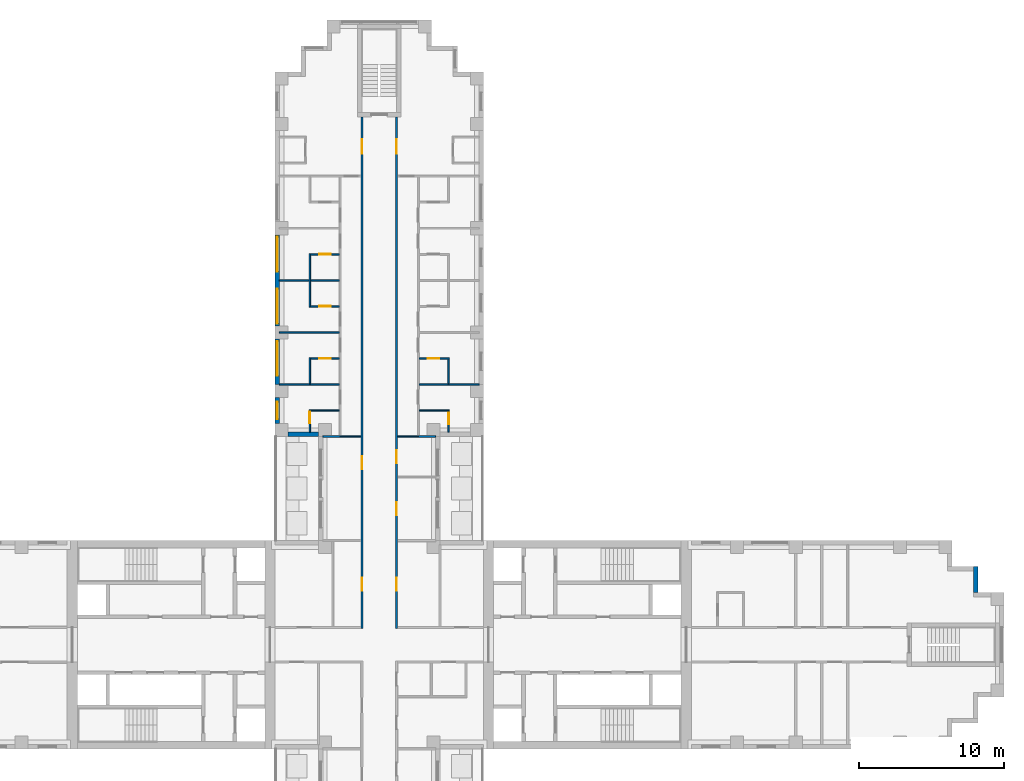
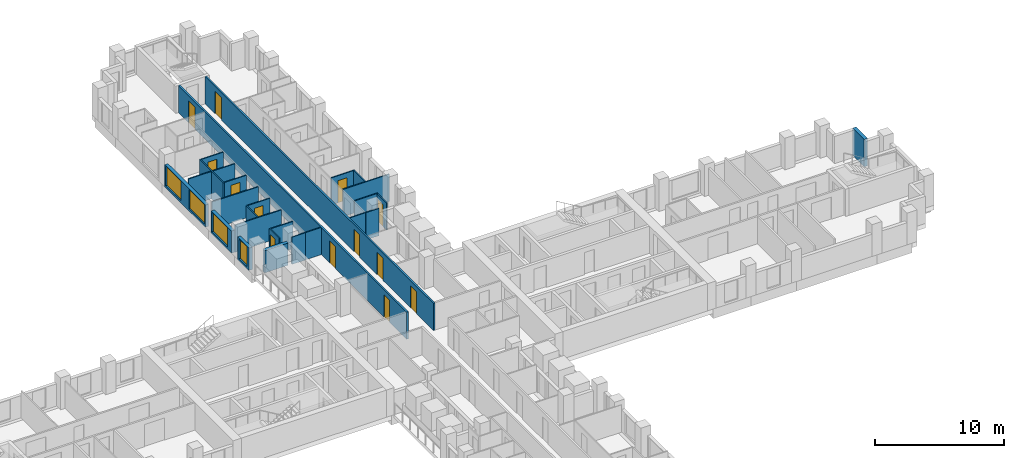
# One storey, part 10 of 15: 26 walls, 13 doors, 4 windows, 17 openings.
"""IFC4 building model written with IfcOpenShell, lengths in metres."""

from ifc_helpers import new_model, si_unit, direction, frame, frame_2d, origin, place, context, subcontext, project, spatial, rectangle, extrude, material, layer, layer_set, type_object, element, fill, save


model = new_model("IFC4")

# Units and contexts
model_context = context("Model", 3, precision=1e-05, world=origin(), true_north=direction((0.0, 1.0)))
body_context = subcontext(model_context, "Body", "Model", "MODEL_VIEW")
ifc_project = project(units=[si_unit("LENGTHUNIT", "METRE"), si_unit("AREAUNIT", "SQUARE_METRE"), si_unit("VOLUMEUNIT", "CUBIC_METRE"), si_unit("PLANEANGLEUNIT", "RADIAN"), si_unit("MASSUNIT", "GRAM", prefix="KILO")], contexts=[model_context])

# Site, building, storey
site_placement = place(None, origin())
site = spatial("IfcSite", under=ifc_project, at=site_placement, CompositionType="ELEMENT")
building_placement = place(site_placement, origin())
building = spatial("IfcBuilding", under=site, at=building_placement, Name="Fustian Cross Tower", CompositionType="ELEMENT")
storey_placement = place(building_placement, frame((0.0, 0.0, 11.699951171875)))
storey = spatial("IfcBuildingStorey", under=building, at=storey_placement, Name="L02", CompositionType="ELEMENT", Elevation=11.699951171875)

# Wall, openings, doors
ifc_material_1 = material(Name="Plasterboard on steel stud", Category="steel")
ifc_layer_1 = layer(ifc_material_1, 0.14990234375)
ifc_layer_set_1 = layer_set([ifc_layer_1], Name="Plasterboard on steel stud")
wall_type_1 = type_object("IfcWallType", Name="COMPARTMENT WALL 150 EI 60", PredefinedType="PARTITIONING", material=ifc_layer_set_1)
wall_1_placement = place(storey_placement, frame((-1.199951171875, 1.125, 0.0), z_axis=(0.0, 0.0, 1.0), x_axis=(0.0, 1.0, 0.0)))
wall_1 = element("IfcWall", 1, at=wall_1_placement, inside=storey, type_object=wall_type_1, Name="Partition 55", PredefinedType="PARTITIONING", context=body_context, shape_type="SweptSolid", body=[
    extrude(rectangle(XDim=35.375, YDim=0.14990234375, at=frame_2d((17.6875, 0.0))), origin(), (0.0, 0.0, 1.0), 2.574951171875),
])
opening_1_placement = place(wall_1_placement, frame((2.625, 0.0, 0.0)))
opening_1 = element("IfcOpeningElement", 2, at=opening_1_placement, cuts=wall_1, Name="Opening D04003", PredefinedType="OPENING", context=body_context, shape_type="SweptSolid", body=[
    extrude(rectangle(XDim=0.89990234375, YDim=2.10009765625, at=frame_2d((0.449951171875, 1.050048828125))), frame((0.0, 0.0849609375, 0.0), z_axis=(0.0, -1.0, 0.0), x_axis=(1.0, 0.0, 0.0)), (0.0, 0.0, 1.0), 0.169921875),
])
opening_2_placement = place(wall_1_placement, frame((11.02490234375, 0.0, 0.0)))
opening_2 = element("IfcOpeningElement", 3, at=opening_2_placement, cuts=wall_1, Name="Opening D04019", PredefinedType="OPENING", context=body_context, shape_type="SweptSolid", body=[
    extrude(rectangle(XDim=0.89990234375, YDim=2.10009765625, at=frame_2d((0.449951171875, 1.050048828125))), frame((0.0, 0.0849609375, 0.0), z_axis=(0.0, -1.0, 0.0), x_axis=(1.0, 0.0, 0.0)), (0.0, 0.0, 1.0), 0.169921875),
])
opening_3_placement = place(wall_1_placement, frame((32.824951171875, 0.0, 0.0)))
opening_3 = element("IfcOpeningElement", 4, at=opening_3_placement, cuts=wall_1, Name="Opening D04021", PredefinedType="OPENING", context=body_context, shape_type="SweptSolid", body=[
    extrude(rectangle(XDim=1.0, YDim=2.10009765625, at=frame_2d((0.5, 1.050048828125))), frame((0.0, 0.0849609375, 0.0), z_axis=(0.0, -1.0, 0.0), x_axis=(1.0, 0.0, 0.0)), (0.0, 0.0, 1.0), 0.169921875),
])
ifc_material_2 = material(Name="Timber fire door set", Category="wood")
door_type_1 = type_object("IfcDoorType", Name="FIRE SWING DOOR 1000 FD30S", OperationType="SINGLE_SWING_LEFT", PredefinedType="DOOR", material=ifc_material_2)
door_1_placement = place(opening_3_placement, origin())
door_1 = element("IfcDoor", 5, at=door_1_placement, inside=storey, type_object=door_type_1, Name="Door D04021", OperationType="SINGLE_SWING_LEFT", OverallHeight=2.10009765625, OverallWidth=1.0, PredefinedType="DOOR", context=body_context, shape_type="SweptSolid", body=[
    extrude(rectangle(XDim=1.0, YDim=2.10009765625, at=frame_2d((0.5, 1.050048828125))), frame((0.0, 0.02490234375, 0.0), z_axis=(0.0, -1.0, 0.0), x_axis=(1.0, 0.0, 0.0)), (0.0, 0.0, 1.0), 0.050048828125),
])
fill(opening_3, door_1)
ifc_material_3 = material(Name="Timber fire door set", Category="wood")
door_type_2 = type_object("IfcDoorType", Name="FIRE SWING DOOR 900 FD30S", OperationType="SINGLE_SWING_LEFT", PredefinedType="DOOR", material=ifc_material_3)
door_2_placement = place(opening_1_placement, origin())
door_2 = element("IfcDoor", 6, at=door_2_placement, inside=storey, type_object=door_type_2, Name="Door D04003", OperationType="SINGLE_SWING_LEFT", OverallHeight=2.10009765625, OverallWidth=0.89990234375, PredefinedType="DOOR", context=body_context, shape_type="SweptSolid", body=[
    extrude(rectangle(XDim=0.89990234375, YDim=2.10009765625, at=frame_2d((0.449951171875, 1.050048828125))), frame((0.0, 0.02490234375, 0.0), z_axis=(0.0, -1.0, 0.0), x_axis=(1.0, 0.0, 0.0)), (0.0, 0.0, 1.0), 0.050048828125),
])
fill(opening_1, door_2)
door_3_placement = place(opening_2_placement, origin())
door_3 = element("IfcDoor", 7, at=door_3_placement, inside=storey, type_object=door_type_2, Name="Door D04019", OperationType="SINGLE_SWING_RIGHT", OverallHeight=2.10009765625, OverallWidth=0.89990234375, PredefinedType="DOOR", context=body_context, shape_type="SweptSolid", body=[
    extrude(rectangle(XDim=0.89990234375, YDim=2.10009765625, at=frame_2d((0.449951171875, 1.050048828125))), frame((0.0, 0.02490234375, 0.0), z_axis=(0.0, -1.0, 0.0), x_axis=(1.0, 0.0, 0.0)), (0.0, 0.0, 1.0), 0.050048828125),
])
fill(opening_2, door_3)

wall_2_placement = place(storey_placement, frame((1.199951171875, 1.125, 0.0), z_axis=(0.0, 0.0, 1.0), x_axis=(0.0, 1.0, 0.0)))
wall_2 = element("IfcWall", 8, at=wall_2_placement, inside=storey, type_object=wall_type_1, Name="Partition 64", PredefinedType="PARTITIONING", context=body_context, shape_type="SweptSolid", body=[
    extrude(rectangle(XDim=35.375, YDim=0.14990234375, at=frame_2d((17.6875, 0.0))), origin(), (0.0, 0.0, 1.0), 2.574951171875),
])
opening_4_placement = place(wall_2_placement, frame((2.625, 0.0, 0.0)))
opening_4 = element("IfcOpeningElement", 9, at=opening_4_placement, cuts=wall_2, Name="Opening D04001", PredefinedType="OPENING", context=body_context, shape_type="SweptSolid", body=[
    extrude(rectangle(XDim=0.89990234375, YDim=2.10009765625, at=frame_2d((0.449951171875, 1.050048828125))), frame((0.0, 0.0849609375, 0.0), z_axis=(0.0, -1.0, 0.0), x_axis=(1.0, 0.0, 0.0)), (0.0, 0.0, 1.0), 0.169921875),
])
opening_5_placement = place(wall_2_placement, frame((11.425048828125, 0.0, 0.0)))
opening_5 = element("IfcOpeningElement", 10, at=opening_5_placement, cuts=wall_2, Name="Opening D04033", PredefinedType="OPENING", context=body_context, shape_type="SweptSolid", body=[
    extrude(rectangle(XDim=0.89990234375, YDim=2.10009765625, at=frame_2d((0.449951171875, 1.050048828125))), frame((0.0, 0.0849609375, 0.0), z_axis=(0.0, -1.0, 0.0), x_axis=(1.0, 0.0, 0.0)), (0.0, 0.0, 1.0), 0.169921875),
])
opening_6_placement = place(wall_2_placement, frame((7.824951171875, 0.0, 0.0)))
opening_6 = element("IfcOpeningElement", 11, at=opening_6_placement, cuts=wall_2, Name="Opening D04034", PredefinedType="OPENING", context=body_context, shape_type="SweptSolid", body=[
    extrude(rectangle(XDim=0.89990234375, YDim=2.10009765625, at=frame_2d((0.449951171875, 1.050048828125))), frame((0.0, 0.0849609375, 0.0), z_axis=(0.0, -1.0, 0.0), x_axis=(1.0, 0.0, 0.0)), (0.0, 0.0, 1.0), 0.169921875),
])
opening_7_placement = place(wall_2_placement, frame((32.824951171875, 0.0, 0.0)))
opening_7 = element("IfcOpeningElement", 12, at=opening_7_placement, cuts=wall_2, Name="Opening D04036", PredefinedType="OPENING", context=body_context, shape_type="SweptSolid", body=[
    extrude(rectangle(XDim=1.0, YDim=2.10009765625, at=frame_2d((0.5, 1.050048828125))), frame((0.0, 0.0849609375, 0.0), z_axis=(0.0, -1.0, 0.0), x_axis=(1.0, 0.0, 0.0)), (0.0, 0.0, 1.0), 0.169921875),
])
door_4_placement = place(opening_7_placement, frame((1.0, 0.0, 0.0), z_axis=(0.0, 0.0, 1.0), x_axis=(-1.0, 0.0, 0.0)))
door_4 = element("IfcDoor", 13, at=door_4_placement, inside=storey, type_object=door_type_1, Name="Door D04036", OperationType="SINGLE_SWING_RIGHT", OverallHeight=2.10009765625, OverallWidth=1.0, PredefinedType="DOOR", context=body_context, shape_type="SweptSolid", body=[
    extrude(rectangle(XDim=1.0, YDim=2.10009765625, at=frame_2d((0.5, 1.050048828125))), frame((0.0, 0.02490234375, 0.0), z_axis=(0.0, -1.0, 0.0), x_axis=(1.0, 0.0, 0.0)), (0.0, 0.0, 1.0), 0.050048828125),
])
fill(opening_7, door_4)
door_5_placement = place(opening_4_placement, frame((0.89990234375, 0.0, 0.0), z_axis=(0.0, 0.0, 1.0), x_axis=(-1.0, 0.0, 0.0)))
door_5 = element("IfcDoor", 14, at=door_5_placement, inside=storey, type_object=door_type_2, Name="Door D04001", OperationType="SINGLE_SWING_RIGHT", OverallHeight=2.10009765625, OverallWidth=0.89990234375, PredefinedType="DOOR", context=body_context, shape_type="SweptSolid", body=[
    extrude(rectangle(XDim=0.89990234375, YDim=2.10009765625, at=frame_2d((0.449951171875, 1.050048828125))), frame((0.0, 0.02490234375, 0.0), z_axis=(0.0, -1.0, 0.0), x_axis=(1.0, 0.0, 0.0)), (0.0, 0.0, 1.0), 0.050048828125),
])
fill(opening_4, door_5)
door_6_placement = place(opening_5_placement, frame((0.89990234375, 0.0, 0.0), z_axis=(0.0, 0.0, 1.0), x_axis=(-1.0, 0.0, 0.0)))
door_6 = element("IfcDoor", 15, at=door_6_placement, inside=storey, type_object=door_type_2, Name="Door D04033", OperationType="SINGLE_SWING_RIGHT", OverallHeight=2.10009765625, OverallWidth=0.89990234375, PredefinedType="DOOR", context=body_context, shape_type="SweptSolid", body=[
    extrude(rectangle(XDim=0.89990234375, YDim=2.10009765625, at=frame_2d((0.449951171875, 1.050048828125))), frame((0.0, 0.02490234375, 0.0), z_axis=(0.0, -1.0, 0.0), x_axis=(1.0, 0.0, 0.0)), (0.0, 0.0, 1.0), 0.050048828125),
])
fill(opening_5, door_6)
door_7_placement = place(opening_6_placement, frame((0.89990234375, 0.0, 0.0), z_axis=(0.0, 0.0, 1.0), x_axis=(-1.0, 0.0, 0.0)))
door_7 = element("IfcDoor", 16, at=door_7_placement, inside=storey, type_object=door_type_2, Name="Door D04034", OperationType="SINGLE_SWING_RIGHT", OverallHeight=2.10009765625, OverallWidth=0.89990234375, PredefinedType="DOOR", context=body_context, shape_type="SweptSolid", body=[
    extrude(rectangle(XDim=0.89990234375, YDim=2.10009765625, at=frame_2d((0.449951171875, 1.050048828125))), frame((0.0, 0.02490234375, 0.0), z_axis=(0.0, -1.0, 0.0), x_axis=(1.0, 0.0, 0.0)), (0.0, 0.0, 1.0), 0.050048828125),
])
fill(opening_6, door_7)

# Walls
ifc_material_4 = material(Name="Plasterboard on steel stud", Category="steel")
ifc_layer_2 = layer(ifc_material_4, 0.10009765625)
ifc_layer_set_2 = layer_set([ifc_layer_2], Name="Plasterboard on steel stud")
wall_type_2 = type_object("IfcWallType", Name="PARTITION 100 STUD", PredefinedType="PARTITIONING", material=ifc_layer_set_2)
for number, where, z_axis, x_axis, name in (
    (17, (-6.89990234375, 18.0, 0.0), (0.0, 0.0, 1.0), (1.0, 0.0, 0.0), "Partition 17"),
    (18, (-6.89990234375, 21.60009765625, 0.0), (0.0, 0.0, 1.0), (1.0, 0.0, 0.0), "Partition 18"),
    (19, (-6.89990234375, 25.199951171875, 0.0), (0.0, 0.0, 1.0), (1.0, 0.0, 0.0), "Partition 19"),
):
    element("IfcWall", number, at=place(storey_placement, frame(where, z_axis=z_axis, x_axis=x_axis)), inside=storey, type_object=wall_type_2, Name=name, PredefinedType="PARTITIONING", context=body_context, shape_type="SweptSolid", body=[
        extrude(rectangle(XDim=4.14990234375, YDim=0.10009765625, at=frame_2d((2.074951171875, 0.0))), origin(), (0.0, 0.0, 1.0), 2.574951171875),
    ])

# Wall, opening, door
wall_3_placement = place(storey_placement, frame((-4.800048828125, 14.699951171875, 0.0), z_axis=(0.0, 0.0, 1.0), x_axis=(0.0, 1.0, 0.0)))
wall_3 = element("IfcWall", 20, at=wall_3_placement, inside=storey, type_object=wall_type_2, Name="Partition 35", PredefinedType="PARTITIONING", context=body_context, shape_type="SweptSolid", body=[
    extrude(rectangle(XDim=1.550048828125, YDim=0.10009765625, at=frame_2d((0.77490234375, 0.0))), origin(), (0.0, 0.0, 1.0), 2.574951171875),
])
opening_8_placement = place(wall_3_placement, frame((0.60009765625, 0.0, 0.0)))
opening_8 = element("IfcOpeningElement", 21, at=opening_8_placement, cuts=wall_3, Name="Opening D04028", PredefinedType="OPENING", context=body_context, shape_type="SweptSolid", body=[
    extrude(rectangle(XDim=0.800048828125, YDim=2.10009765625, at=frame_2d((0.39990234375, 1.050048828125))), frame((0.0, 0.06005859375, 0.0), z_axis=(0.0, -1.0, 0.0), x_axis=(1.0, 0.0, 0.0)), (0.0, 0.0, 1.0), 0.1201171875),
])
ifc_material_5 = material(Name="Painted timber", Category="wood")
door_type_3 = type_object("IfcDoorType", Name="SWING DOOR 800", OperationType="SINGLE_SWING_LEFT", PredefinedType="DOOR", material=ifc_material_5)
door_8_placement = place(opening_8_placement, frame((0.800048828125, 0.0, 0.0), z_axis=(0.0, 0.0, 1.0), x_axis=(-1.0, 0.0, 0.0)))
door_8 = element("IfcDoor", 22, at=door_8_placement, inside=storey, type_object=door_type_3, Name="Door D04028", OperationType="SINGLE_SWING_LEFT", OverallHeight=2.10009765625, OverallWidth=0.800048828125, PredefinedType="DOOR", context=body_context, shape_type="SweptSolid", body=[
    extrude(rectangle(XDim=0.800048828125, YDim=2.10009765625, at=frame_2d((0.39990234375, 1.050048828125))), frame((0.0, 0.02490234375, 0.0), z_axis=(0.0, -1.0, 0.0), x_axis=(1.0, 0.0, 0.0)), (0.0, 0.0, 1.0), 0.050048828125),
])
fill(opening_8, door_8)

# Walls
wall_4_placement = place(storey_placement, frame((-4.75, 16.199951171875, 0.0), z_axis=(0.0, 0.0, 1.0), x_axis=(1.0, 0.0, 0.0)))
element("IfcWall", 23, at=wall_4_placement, inside=storey, type_object=wall_type_2, Name="Partition 36", PredefinedType="PARTITIONING", context=body_context, shape_type="SweptSolid", body=[
    extrude(rectangle(XDim=2.0, YDim=0.10009765625, at=frame_2d((1.0, 0.0))), origin(), (0.0, 0.0, 1.0), 2.574951171875),
])
wall_5_placement = place(storey_placement, frame((-4.800048828125, 18.050048828125, 0.0), z_axis=(0.0, 0.0, 1.0), x_axis=(0.0, 1.0, 0.0)))
element("IfcWall", 24, at=wall_5_placement, inside=storey, type_object=wall_type_2, Name="Partition 37", PredefinedType="PARTITIONING", context=body_context, shape_type="SweptSolid", body=[
    extrude(rectangle(XDim=1.800048828125, YDim=0.10009765625, at=frame_2d((0.89990234375, 0.0))), origin(), (0.0, 0.0, 1.0), 2.574951171875),
])

# Wall, opening, door
wall_6_placement = place(storey_placement, frame((-4.75, 19.800048828125, 0.0), z_axis=(0.0, 0.0, 1.0), x_axis=(1.0, 0.0, 0.0)))
wall_6 = element("IfcWall", 25, at=wall_6_placement, inside=storey, type_object=wall_type_2, Name="Partition 38", PredefinedType="PARTITIONING", context=body_context, shape_type="SweptSolid", body=[
    extrude(rectangle(XDim=2.0, YDim=0.10009765625, at=frame_2d((1.0, 0.0))), origin(), (0.0, 0.0, 1.0), 2.574951171875),
])
opening_9_placement = place(wall_6_placement, frame((0.60009765625, 0.0, 0.0)))
opening_9 = element("IfcOpeningElement", 26, at=opening_9_placement, cuts=wall_6, Name="Opening D04029", PredefinedType="OPENING", context=body_context, shape_type="SweptSolid", body=[
    extrude(rectangle(XDim=0.800048828125, YDim=2.10009765625, at=frame_2d((0.39990234375, 1.050048828125))), frame((0.0, 0.06005859375, 0.0), z_axis=(0.0, -1.0, 0.0), x_axis=(1.0, 0.0, 0.0)), (0.0, 0.0, 1.0), 0.1201171875),
])
door_9_placement = place(opening_9_placement, frame((0.800048828125, 0.0, 0.0), z_axis=(0.0, 0.0, 1.0), x_axis=(-1.0, 0.0, 0.0)))
door_9 = element("IfcDoor", 27, at=door_9_placement, inside=storey, type_object=door_type_3, Name="Door D04029", OperationType="SINGLE_SWING_RIGHT", OverallHeight=2.10009765625, OverallWidth=0.800048828125, PredefinedType="DOOR", context=body_context, shape_type="SweptSolid", body=[
    extrude(rectangle(XDim=0.800048828125, YDim=2.10009765625, at=frame_2d((0.39990234375, 1.050048828125))), frame((0.0, 0.02490234375, 0.0), z_axis=(0.0, -1.0, 0.0), x_axis=(1.0, 0.0, 0.0)), (0.0, 0.0, 1.0), 0.050048828125),
])
fill(opening_9, door_9)

# Wall
wall_7_placement = place(storey_placement, frame((-4.800048828125, 23.35009765625, 0.0), z_axis=(0.0, 0.0, 1.0), x_axis=(0.0, 1.0, 0.0)))
element("IfcWall", 28, at=wall_7_placement, inside=storey, type_object=wall_type_2, Name="Partition 39", PredefinedType="PARTITIONING", context=body_context, shape_type="SweptSolid", body=[
    extrude(rectangle(XDim=3.699951171875, YDim=0.10009765625, at=frame_2d((1.85009765625, 0.0))), origin(), (0.0, 0.0, 1.0), 2.574951171875),
])

# Wall, opening, door
wall_8_placement = place(storey_placement, frame((-4.75, 23.39990234375, 0.0), z_axis=(0.0, 0.0, 1.0), x_axis=(1.0, 0.0, 0.0)))
wall_8 = element("IfcWall", 29, at=wall_8_placement, inside=storey, type_object=wall_type_2, Name="Partition 40", PredefinedType="PARTITIONING", context=body_context, shape_type="SweptSolid", body=[
    extrude(rectangle(XDim=2.0, YDim=0.10009765625, at=frame_2d((1.0, 0.0))), origin(), (0.0, 0.0, 1.0), 2.574951171875),
])
opening_10_placement = place(wall_8_placement, frame((0.60009765625, 0.0, 0.0)))
opening_10 = element("IfcOpeningElement", 30, at=opening_10_placement, cuts=wall_8, Name="Opening D04030", PredefinedType="OPENING", context=body_context, shape_type="SweptSolid", body=[
    extrude(rectangle(XDim=0.800048828125, YDim=2.10009765625, at=frame_2d((0.39990234375, 1.050048828125))), frame((0.0, 0.06005859375, 0.0), z_axis=(0.0, -1.0, 0.0), x_axis=(1.0, 0.0, 0.0)), (0.0, 0.0, 1.0), 0.1201171875),
])
door_10_placement = place(opening_10_placement, origin())
door_10 = element("IfcDoor", 31, at=door_10_placement, inside=storey, type_object=door_type_3, Name="Door D04030", OperationType="SINGLE_SWING_LEFT", OverallHeight=2.10009765625, OverallWidth=0.800048828125, PredefinedType="DOOR", context=body_context, shape_type="SweptSolid", body=[
    extrude(rectangle(XDim=0.800048828125, YDim=2.10009765625, at=frame_2d((0.39990234375, 1.050048828125))), frame((0.0, 0.02490234375, 0.0), z_axis=(0.0, -1.0, 0.0), x_axis=(1.0, 0.0, 0.0)), (0.0, 0.0, 1.0), 0.050048828125),
])
fill(opening_10, door_10)

wall_9_placement = place(storey_placement, frame((-4.75, 27.0, 0.0), z_axis=(0.0, 0.0, 1.0), x_axis=(1.0, 0.0, 0.0)))
wall_9 = element("IfcWall", 32, at=wall_9_placement, inside=storey, type_object=wall_type_2, Name="Partition 41", PredefinedType="PARTITIONING", context=body_context, shape_type="SweptSolid", body=[
    extrude(rectangle(XDim=2.0, YDim=0.10009765625, at=frame_2d((1.0, 0.0))), origin(), (0.0, 0.0, 1.0), 2.574951171875),
])
opening_11_placement = place(wall_9_placement, frame((0.60009765625, 0.0, 0.0)))
opening_11 = element("IfcOpeningElement", 33, at=opening_11_placement, cuts=wall_9, Name="Opening D04031", PredefinedType="OPENING", context=body_context, shape_type="SweptSolid", body=[
    extrude(rectangle(XDim=0.800048828125, YDim=2.10009765625, at=frame_2d((0.39990234375, 1.050048828125))), frame((0.0, 0.06005859375, 0.0), z_axis=(0.0, -1.0, 0.0), x_axis=(1.0, 0.0, 0.0)), (0.0, 0.0, 1.0), 0.1201171875),
])
door_11_placement = place(opening_11_placement, frame((0.800048828125, 0.0, 0.0), z_axis=(0.0, 0.0, 1.0), x_axis=(-1.0, 0.0, 0.0)))
door_11 = element("IfcDoor", 34, at=door_11_placement, inside=storey, type_object=door_type_3, Name="Door D04031", OperationType="SINGLE_SWING_RIGHT", OverallHeight=2.10009765625, OverallWidth=0.800048828125, PredefinedType="DOOR", context=body_context, shape_type="SweptSolid", body=[
    extrude(rectangle(XDim=0.800048828125, YDim=2.10009765625, at=frame_2d((0.39990234375, 1.050048828125))), frame((0.0, 0.02490234375, 0.0), z_axis=(0.0, -1.0, 0.0), x_axis=(1.0, 0.0, 0.0)), (0.0, 0.0, 1.0), 0.050048828125),
])
fill(opening_11, door_11)

# Walls
for number, where, z_axis, x_axis, name in (
    (35, (-2.699951171875, 14.39990234375, 0.0), (0.0, 0.0, 1.0), (1.0, 0.0, 0.0), "Partition 53"),
    (36, (1.27490234375, 14.39990234375, 0.0), (0.0, 0.0, 1.0), (1.0, 0.0, 0.0), "Partition 68"),
):
    element("IfcWall", number, at=place(storey_placement, frame(where, z_axis=z_axis, x_axis=x_axis)), inside=storey, type_object=wall_type_2, Name=name, PredefinedType="PARTITIONING", context=body_context, shape_type="SweptSolid", body=[
        extrude(rectangle(XDim=1.425048828125, YDim=0.10009765625, at=frame_2d((0.71240234375, 0.0))), origin(), (0.0, 0.0, 1.0), 2.574951171875),
    ])
wall_10_placement = place(storey_placement, frame((2.75, 16.199951171875, 0.0), z_axis=(0.0, 0.0, 1.0), x_axis=(1.0, 0.0, 0.0)))
element("IfcWall", 37, at=wall_10_placement, inside=storey, type_object=wall_type_2, Name="Partition 76", PredefinedType="PARTITIONING", context=body_context, shape_type="SweptSolid", body=[
    extrude(rectangle(XDim=2.10009765625, YDim=0.10009765625, at=frame_2d((1.050048828125, 0.0))), origin(), (0.0, 0.0, 1.0), 2.574951171875),
])
wall_11_placement = place(storey_placement, frame((2.75, 18.0, 0.0), z_axis=(0.0, 0.0, 1.0), x_axis=(1.0, 0.0, 0.0)))
element("IfcWall", 38, at=wall_11_placement, inside=storey, type_object=wall_type_2, Name="Partition 77", PredefinedType="PARTITIONING", context=body_context, shape_type="SweptSolid", body=[
    extrude(rectangle(XDim=4.14990234375, YDim=0.10009765625, at=frame_2d((2.074951171875, 0.0))), origin(), (0.0, 0.0, 1.0), 2.574951171875),
])

# Wall, opening, door
wall_12_placement = place(storey_placement, frame((2.75, 19.800048828125, 0.0), z_axis=(0.0, 0.0, 1.0), x_axis=(1.0, 0.0, 0.0)))
wall_12 = element("IfcWall", 39, at=wall_12_placement, inside=storey, type_object=wall_type_2, Name="Partition 78", PredefinedType="PARTITIONING", context=body_context, shape_type="SweptSolid", body=[
    extrude(rectangle(XDim=2.10009765625, YDim=0.10009765625, at=frame_2d((1.050048828125, 0.0))), origin(), (0.0, 0.0, 1.0), 2.574951171875),
])
opening_12_placement = place(wall_12_placement, frame((0.60009765625, 0.0, 0.0)))
opening_12 = element("IfcOpeningElement", 40, at=opening_12_placement, cuts=wall_12, Name="Opening D04044", PredefinedType="OPENING", context=body_context, shape_type="SweptSolid", body=[
    extrude(rectangle(XDim=0.800048828125, YDim=2.10009765625, at=frame_2d((0.39990234375, 1.050048828125))), frame((0.0, 0.06005859375, 0.0), z_axis=(0.0, -1.0, 0.0), x_axis=(1.0, 0.0, 0.0)), (0.0, 0.0, 1.0), 0.1201171875),
])
door_12_placement = place(opening_12_placement, frame((0.800048828125, 0.0, 0.0), z_axis=(0.0, 0.0, 1.0), x_axis=(-1.0, 0.0, 0.0)))
door_12 = element("IfcDoor", 41, at=door_12_placement, inside=storey, type_object=door_type_3, Name="Door D04044", OperationType="SINGLE_SWING_RIGHT", OverallHeight=2.10009765625, OverallWidth=0.800048828125, PredefinedType="DOOR", context=body_context, shape_type="SweptSolid", body=[
    extrude(rectangle(XDim=0.800048828125, YDim=2.10009765625, at=frame_2d((0.39990234375, 1.050048828125))), frame((0.0, 0.02490234375, 0.0), z_axis=(0.0, -1.0, 0.0), x_axis=(1.0, 0.0, 0.0)), (0.0, 0.0, 1.0), 0.050048828125),
])
fill(opening_12, door_12)

wall_13_placement = place(storey_placement, frame((4.800048828125, 14.699951171875, 0.0), z_axis=(0.0, 0.0, 1.0), x_axis=(0.0, 1.0, 0.0)))
wall_13 = element("IfcWall", 42, at=wall_13_placement, inside=storey, type_object=wall_type_2, Name="Partition 88", PredefinedType="PARTITIONING", context=body_context, shape_type="SweptSolid", body=[
    extrude(rectangle(XDim=1.449951171875, YDim=0.10009765625, at=frame_2d((0.72509765625, 0.0))), origin(), (0.0, 0.0, 1.0), 2.574951171875),
])
opening_13_placement = place(wall_13_placement, frame((0.550048828125, 0.0, 0.0)))
opening_13 = element("IfcOpeningElement", 43, at=opening_13_placement, cuts=wall_13, Name="Opening D04043", PredefinedType="OPENING", context=body_context, shape_type="SweptSolid", body=[
    extrude(rectangle(XDim=0.800048828125, YDim=2.10009765625, at=frame_2d((0.39990234375, 1.050048828125))), frame((0.0, 0.06005859375, 0.0), z_axis=(0.0, -1.0, 0.0), x_axis=(1.0, 0.0, 0.0)), (0.0, 0.0, 1.0), 0.1201171875),
])
door_13_placement = place(opening_13_placement, frame((0.800048828125, 0.0, 0.0), z_axis=(0.0, 0.0, 1.0), x_axis=(-1.0, 0.0, 0.0)))
door_13 = element("IfcDoor", 44, at=door_13_placement, inside=storey, type_object=door_type_3, Name="Door D04043", OperationType="SINGLE_SWING_RIGHT", OverallHeight=2.10009765625, OverallWidth=0.800048828125, PredefinedType="DOOR", context=body_context, shape_type="SweptSolid", body=[
    extrude(rectangle(XDim=0.800048828125, YDim=2.10009765625, at=frame_2d((0.39990234375, 1.050048828125))), frame((0.0, 0.02490234375, 0.0), z_axis=(0.0, -1.0, 0.0), x_axis=(1.0, 0.0, 0.0)), (0.0, 0.0, 1.0), 0.050048828125),
])
fill(opening_13, door_13)

# Walls
wall_14_placement = place(storey_placement, frame((4.800048828125, 18.050048828125, 0.0), z_axis=(0.0, 0.0, 1.0), x_axis=(0.0, 1.0, 0.0)))
element("IfcWall", 45, at=wall_14_placement, inside=storey, type_object=wall_type_2, Name="Partition 89", PredefinedType="PARTITIONING", context=body_context, shape_type="SweptSolid", body=[
    extrude(rectangle(XDim=1.699951171875, YDim=0.10009765625, at=frame_2d((0.85009765625, 0.0))), origin(), (0.0, 0.0, 1.0), 2.574951171875),
])
ifc_material_6 = material(Name="Plasterboard on steel stud", Category="steel")
ifc_layer_3 = layer(ifc_material_6, 0.125)
ifc_layer_set_3 = layer_set([ifc_layer_3], Name="Plasterboard on steel stud")
wall_type_3 = type_object("IfcWallType", Name="WET WALL 125 STUD", PredefinedType="PARTITIONING", material=ifc_layer_set_3)
for number, where, z_axis, x_axis, name in (
    (46, (-3.89990234375, 14.39990234375, 0.0), (0.0, 0.0, 1.0), (1.0, 0.0, 0.0), "Partition 48"),
    (47, (2.699951171875, 14.39990234375, 0.0), (0.0, 0.0, 1.0), (1.0, 0.0, 0.0), "Partition 75"),
):
    element("IfcWall", number, at=place(storey_placement, frame(where, z_axis=z_axis, x_axis=x_axis)), inside=storey, type_object=wall_type_3, Name=name, PredefinedType="PARTITIONING", context=body_context, shape_type="SweptSolid", body=[
        extrude(rectangle(XDim=1.199951171875, YDim=0.125, at=frame_2d((0.60009765625, 0.0))), origin(), (0.0, 0.0, 1.0), 2.574951171875),
    ])
ifc_material_7 = material(Name="Dark aluminium cladding on insulated backing wall", Category="aluminium")
ifc_layer_4 = layer(ifc_material_7, 0.300048828125)
ifc_layer_set_4 = layer_set([ifc_layer_4], Name="Dark aluminium cladding on insulated backing wall")
wall_type_4 = type_object("IfcWallType", Name="XW1 EXTERNAL WALL 300", PredefinedType="SOLIDWALL", material=ifc_layer_set_4)
wall_15_placement = place(storey_placement, frame((41.25, 3.60009765625, 0.0), z_axis=(0.0, 0.0, 1.0), x_axis=(0.0, 1.0, 0.0)))
element("IfcWall", 48, at=wall_15_placement, inside=storey, type_object=wall_type_4, Name="External wall", PredefinedType="SOLIDWALL", context=body_context, shape_type="SweptSolid", body=[
    extrude(rectangle(XDim=1.7998046875, YDim=0.300048828125, at=frame_2d((0.89990234375, 0.0))), origin(), (0.0, 0.0, 1.0), 2.574951171875),
])

# Wall, openings, windows
wall_16_placement = place(storey_placement, frame((-7.050048828125, 28.35009765625, 0.0), z_axis=(0.0, 0.0, 1.0), x_axis=(0.0, -1.0, 0.0)))
wall_16 = element("IfcWall", 49, at=wall_16_placement, inside=storey, type_object=wall_type_4, Name="External wall", PredefinedType="SOLIDWALL", context=body_context, shape_type="SweptSolid", body=[
    extrude(rectangle(XDim=6.300048828125, YDim=0.300048828125, at=frame_2d((3.14990234375, 0.0))), origin(), (0.0, 0.0, 1.0), 2.10009765625),
])
opening_14_placement = place(wall_16_placement, frame((0.14990234375, 0.0, 0.199951171875)))
opening_14 = element("IfcOpeningElement", 50, at=opening_14_placement, cuts=wall_16, Name="Opening WN1", PredefinedType="OPENING", context=body_context, shape_type="SweptSolid", body=[
    extrude(rectangle(XDim=2.39990234375, YDim=1.85009765625, at=frame_2d((1.199951171875, 0.925048828125))), frame((0.0, 0.159912109375, 0.0), z_axis=(0.0, -1.0, 0.0), x_axis=(1.0, 0.0, 0.0)), (0.0, 0.0, 1.0), 0.320068359375),
])
opening_15_placement = place(wall_16_placement, frame((3.75, 0.0, 0.199951171875)))
opening_15 = element("IfcOpeningElement", 51, at=opening_15_placement, cuts=wall_16, Name="Opening WN1", PredefinedType="OPENING", context=body_context, shape_type="SweptSolid", body=[
    extrude(rectangle(XDim=2.39990234375, YDim=1.85009765625, at=frame_2d((1.199951171875, 0.925048828125))), frame((0.0, 0.159912109375, 0.0), z_axis=(0.0, -1.0, 0.0), x_axis=(1.0, 0.0, 0.0)), (0.0, 0.0, 1.0), 0.320068359375),
])
ifc_material_8 = material(Name="Dark anodised aluminium and double glazing", Category="aluminium")
window_type_1 = type_object("IfcWindowType", Name="WN1 WINDOW 2400X1850", PartitioningType="SINGLE_PANEL", PredefinedType="WINDOW", material=ifc_material_8)
window_1_placement = place(opening_14_placement, origin())
window_1 = element("IfcWindow", 52, at=window_1_placement, inside=storey, type_object=window_type_1, Name="Window", OverallHeight=1.85009765625, OverallWidth=2.39990234375, PartitioningType="SINGLE_PANEL", PredefinedType="WINDOW", context=body_context, shape_type="SweptSolid", body=[
    extrude(rectangle(XDim=2.39990234375, YDim=1.85009765625, at=frame_2d((1.199951171875, 0.925048828125))), frame((0.0, 0.030029296875, 0.0), z_axis=(0.0, -1.0, 0.0), x_axis=(1.0, 0.0, 0.0)), (0.0, 0.0, 1.0), 0.06005859375),
])
fill(opening_14, window_1)
window_2_placement = place(opening_15_placement, origin())
window_2 = element("IfcWindow", 53, at=window_2_placement, inside=storey, type_object=window_type_1, Name="Window", OverallHeight=1.85009765625, OverallWidth=2.39990234375, PartitioningType="SINGLE_PANEL", PredefinedType="WINDOW", context=body_context, shape_type="SweptSolid", body=[
    extrude(rectangle(XDim=2.39990234375, YDim=1.85009765625, at=frame_2d((1.199951171875, 0.925048828125))), frame((0.0, 0.030029296875, 0.0), z_axis=(0.0, -1.0, 0.0), x_axis=(1.0, 0.0, 0.0)), (0.0, 0.0, 1.0), 0.06005859375),
])
fill(opening_15, window_2)

# Wall, opening, window
wall_17_placement = place(storey_placement, frame((-7.050048828125, 21.14990234375, 0.0), z_axis=(0.0, 0.0, 1.0), x_axis=(0.0, -1.0, 0.0)))
wall_17 = element("IfcWall", 54, at=wall_17_placement, inside=storey, type_object=wall_type_4, Name="External wall", PredefinedType="SOLIDWALL", context=body_context, shape_type="SweptSolid", body=[
    extrude(rectangle(XDim=3.14990234375, YDim=0.300048828125, at=frame_2d((1.574951171875, 0.0))), origin(), (0.0, 0.0, 1.0), 2.10009765625),
])
opening_16_placement = place(wall_17_placement, frame((0.14990234375, 0.0, 0.199951171875)))
opening_16 = element("IfcOpeningElement", 55, at=opening_16_placement, cuts=wall_17, Name="Opening WN1", PredefinedType="OPENING", context=body_context, shape_type="SweptSolid", body=[
    extrude(rectangle(XDim=2.39990234375, YDim=1.85009765625, at=frame_2d((1.199951171875, 0.925048828125))), frame((0.0, 0.159912109375, 0.0), z_axis=(0.0, -1.0, 0.0), x_axis=(1.0, 0.0, 0.0)), (0.0, 0.0, 1.0), 0.320068359375),
])
window_3_placement = place(opening_16_placement, origin())
window_3 = element("IfcWindow", 56, at=window_3_placement, inside=storey, type_object=window_type_1, Name="Window", OverallHeight=1.85009765625, OverallWidth=2.39990234375, PartitioningType="SINGLE_PANEL", PredefinedType="WINDOW", context=body_context, shape_type="SweptSolid", body=[
    extrude(rectangle(XDim=2.39990234375, YDim=1.85009765625, at=frame_2d((1.199951171875, 0.925048828125))), frame((0.0, 0.030029296875, 0.0), z_axis=(0.0, -1.0, 0.0), x_axis=(1.0, 0.0, 0.0)), (0.0, 0.0, 1.0), 0.06005859375),
])
fill(opening_16, window_3)

wall_18_placement = place(storey_placement, frame((-7.050048828125, 17.10009765625, 0.0), z_axis=(0.0, 0.0, 1.0), x_axis=(0.0, -1.0, 0.0)))
wall_18 = element("IfcWall", 57, at=wall_18_placement, inside=storey, type_object=wall_type_4, Name="External wall", PredefinedType="SOLIDWALL", context=body_context, shape_type="SweptSolid", body=[
    extrude(rectangle(XDim=1.800048828125, YDim=0.300048828125, at=frame_2d((0.89990234375, 0.0))), origin(), (0.0, 0.0, 1.0), 2.10009765625),
])
opening_17_placement = place(wall_18_placement, frame((0.300048828125, 0.0, 0.199951171875)))
opening_17 = element("IfcOpeningElement", 58, at=opening_17_placement, cuts=wall_18, Name="Opening WN3", PredefinedType="OPENING", context=body_context, shape_type="SweptSolid", body=[
    extrude(rectangle(XDim=1.199951171875, YDim=1.85009765625, at=frame_2d((0.60009765625, 0.925048828125))), frame((0.0, 0.159912109375, 0.0), z_axis=(0.0, -1.0, 0.0), x_axis=(1.0, 0.0, 0.0)), (0.0, 0.0, 1.0), 0.320068359375),
])
ifc_material_9 = material(Name="Dark anodised aluminium and double glazing", Category="aluminium")
window_type_2 = type_object("IfcWindowType", Name="WN3 WINDOW 1200X1850", PartitioningType="SINGLE_PANEL", PredefinedType="WINDOW", material=ifc_material_9)
window_4_placement = place(opening_17_placement, origin())
window_4 = element("IfcWindow", 59, at=window_4_placement, inside=storey, type_object=window_type_2, Name="Window", OverallHeight=1.85009765625, OverallWidth=1.199951171875, PartitioningType="SINGLE_PANEL", PredefinedType="WINDOW", context=body_context, shape_type="SweptSolid", body=[
    extrude(rectangle(XDim=1.199951171875, YDim=1.85009765625, at=frame_2d((0.60009765625, 0.925048828125))), frame((0.0, 0.030029296875, 0.0), z_axis=(0.0, -1.0, 0.0), x_axis=(1.0, 0.0, 0.0)), (0.0, 0.0, 1.0), 0.06005859375),
])
fill(opening_17, window_4)

# Wall
wall_19_placement = place(storey_placement, frame((-6.300048828125, 14.550048828125, 0.0), z_axis=(0.0, 0.0, 1.0), x_axis=(1.0, 0.0, 0.0)))
element("IfcWall", 60, at=wall_19_placement, inside=storey, type_object=wall_type_4, Name="External wall", PredefinedType="SOLIDWALL", context=body_context, shape_type="SweptSolid", body=[
    extrude(rectangle(XDim=2.10009765625, YDim=0.300048828125, at=frame_2d((1.050048828125, 0.0))), origin(), (0.0, 0.0, 1.0), 2.10009765625),
])

save(model, "model.ifc")
